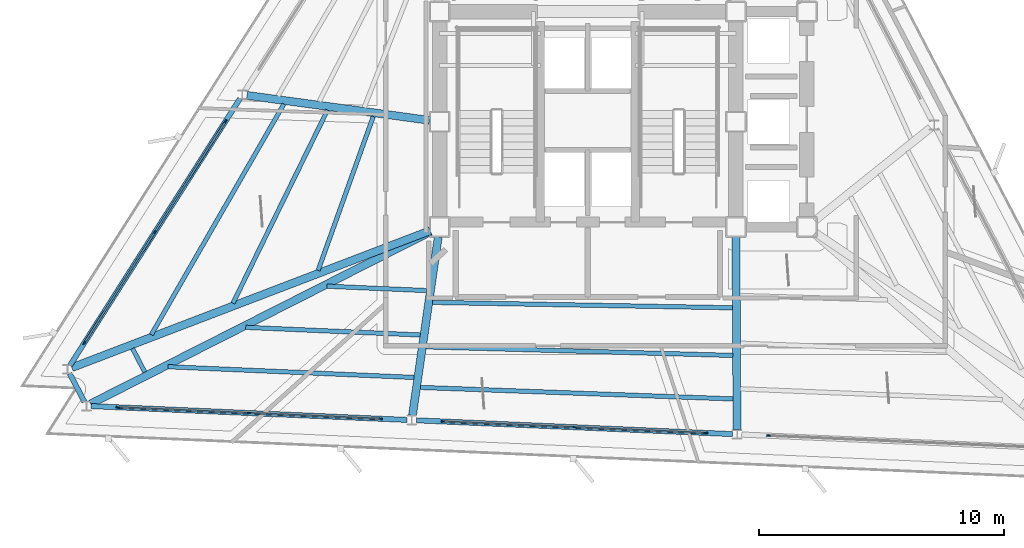
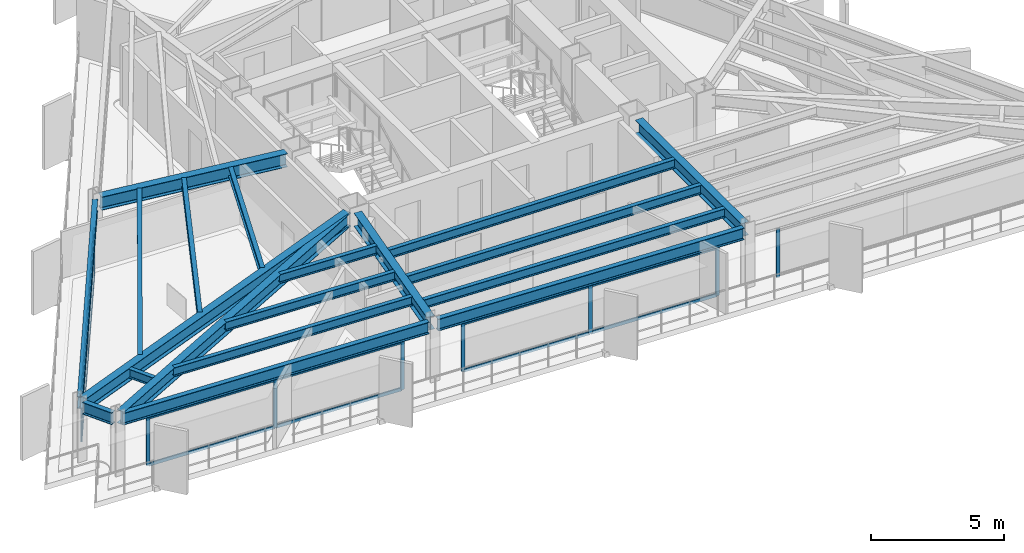
# One storey, part 2 of 12: 22 members, 19 beams, 4 elements without a shape of their own.
"""IFC4 building model written with IfcOpenShell, lengths in metres."""

from ifc_helpers import new_model, si_unit, direction, frame, origin, origin_2d, place, context, subcontext, project, spatial, rectangle, i_section, extrude, material, layer, layer_set, material_profile, profile_set, type_object, element, aggregate, save


model = new_model("IFC4")

# Units and contexts
model_context = context("Model", 3, precision=1e-05, world=origin(), true_north=direction((0.0, 1.0)))
body_context = subcontext(model_context, "Body", "Model", "MODEL_VIEW")
ifc_project = project(units=[si_unit("LENGTHUNIT", "METRE"), si_unit("AREAUNIT", "SQUARE_METRE"), si_unit("VOLUMEUNIT", "CUBIC_METRE"), si_unit("PLANEANGLEUNIT", "RADIAN"), si_unit("MASSUNIT", "GRAM", prefix="KILO")], contexts=[model_context])

# Site, building, storey
site_placement = place(None, origin())
site = spatial("IfcSite", under=ifc_project, at=site_placement, CompositionType="ELEMENT")
building_placement = place(site_placement, origin())
building = spatial("IfcBuilding", under=site, at=building_placement, Name="Rocaltana Carrier Exchange", CompositionType="ELEMENT")
storey_placement = place(building_placement, frame((0.0, 0.0, 138.080078125)))
storey = spatial("IfcBuildingStorey", under=building, at=storey_placement, Name="L43", CompositionType="ELEMENT", Elevation=138.080078125)

# Curtain wall, members
ifc_material_1 = material(Name="Aluminium 6063-T6", Category="aluminium")
ifc_layer = layer(ifc_material_1, 0.14990234375)
ifc_layer_set = layer_set([ifc_layer], Name="Aluminium 6063-T6")
curtain_wall_type = type_object("IfcCurtainWallType", Name="Mid-Tower Unitised Curtain Wall CW-03", PredefinedType="NOTDEFINED", material=ifc_layer_set)
curtain_wall_1_placement = place(storey_placement, origin())
curtain_wall_1 = element("IfcCurtainWall", 1, at=curtain_wall_1_placement, inside=storey, type_object=curtain_wall_type, Name="L43 CW-03 Run CW-L43-F2S3", PredefinedType="NOTDEFINED")
ifc_material_2 = material(Name="Aluminium 6063-T6", Category="aluminium")
ifc_material_profile_1 = material_profile(ifc_material_2, rectangle(XDim=0.06005859375, YDim=0.14990234375, at=origin_2d()), Name="AL-60X150")
ifc_profile_set_1 = profile_set([ifc_material_profile_1], Name="Aluminium 6063-T6")
member_type_1 = type_object("IfcMemberType", Name="CW-03 Mullion AL-60X150", PredefinedType="MULLION", material=ifc_profile_set_1)
member_1_placement = place(storey_placement, frame((-14.79541015625, 0.023193359375, 0.0), z_axis=(0.0, 0.0, 1.0), x_axis=(0.843390685726, -0.537300801443, 0.0)))
member_1 = element("IfcMember", 2, at=member_1_placement, type_object=member_type_1, Name="CW-03 mullion 1", PredefinedType="MULLION", context=body_context, shape_type="SweptSolid", body=[
    extrude(rectangle(XDim=0.06005859375, YDim=0.14990234375, at=origin_2d()), origin(), (0.0, 0.0, 1.0), 2.218017578125),
])
member_2_placement = place(storey_placement, frame((-17.680908203125, -4.505859375, 0.0), z_axis=(0.0, 0.0, 1.0), x_axis=(0.843390685726, -0.537300801443, 0.0)))
member_2 = element("IfcMember", 3, at=member_2_placement, type_object=member_type_1, Name="CW-03 mullion 2", PredefinedType="MULLION", context=body_context, shape_type="SweptSolid", body=[
    extrude(rectangle(XDim=0.06005859375, YDim=0.14990234375, at=origin_2d()), origin(), (0.0, 0.0, 1.0), 2.218017578125),
])
member_3_placement = place(storey_placement, frame((-20.566162109375, -9.034912109375, 0.0), z_axis=(0.0, 0.0, 1.0), x_axis=(0.843390685726, -0.537300801443, 0.0)))
member_3 = element("IfcMember", 4, at=member_3_placement, type_object=member_type_1, Name="CW-03 mullion 3", PredefinedType="MULLION", context=body_context, shape_type="SweptSolid", body=[
    extrude(rectangle(XDim=0.06005859375, YDim=0.14990234375, at=origin_2d()), origin(), (0.0, 0.0, 1.0), 2.218017578125),
])

curtain_wall_2_placement = place(storey_placement, origin())
curtain_wall_2 = element("IfcCurtainWall", 5, at=curtain_wall_2_placement, inside=storey, type_object=curtain_wall_type, Name="L43 CW-03 Run CW-L43-F3S1", PredefinedType="NOTDEFINED")
member_4_placement = place(storey_placement, frame((-19.197021484375, -11.66455078125, 0.0), z_axis=(0.0, 0.0, 1.0), x_axis=(0.043629290456, 0.999047789154, 0.0)))
member_4 = element("IfcMember", 6, at=member_4_placement, type_object=member_type_1, Name="CW-03 mullion 1", PredefinedType="MULLION", context=body_context, shape_type="SweptSolid", body=[
    extrude(rectangle(XDim=0.06005859375, YDim=0.14990234375, at=origin_2d()), origin(), (0.0, 0.0, 1.0), 2.218017578125),
])
member_5_placement = place(storey_placement, frame((-13.832275390625, -11.89892578125, 0.0), z_axis=(0.0, 0.0, 1.0), x_axis=(0.043629290456, 0.999047789154, 0.0)))
member_5 = element("IfcMember", 7, at=member_5_placement, type_object=member_type_1, Name="CW-03 mullion 2", PredefinedType="MULLION", context=body_context, shape_type="SweptSolid", body=[
    extrude(rectangle(XDim=0.06005859375, YDim=0.14990234375, at=origin_2d()), origin(), (0.0, 0.0, 1.0), 2.218017578125),
])
member_6_placement = place(storey_placement, frame((-8.46728515625, -12.13330078125, 0.0), z_axis=(0.0, 0.0, 1.0), x_axis=(0.043629290456, 0.999047789154, 0.0)))
member_6 = element("IfcMember", 8, at=member_6_placement, type_object=member_type_1, Name="CW-03 mullion 3", PredefinedType="MULLION", context=body_context, shape_type="SweptSolid", body=[
    extrude(rectangle(XDim=0.06005859375, YDim=0.14990234375, at=origin_2d()), origin(), (0.0, 0.0, 1.0), 2.218017578125),
])

curtain_wall_3_placement = place(storey_placement, origin())
curtain_wall_3 = element("IfcCurtainWall", 9, at=curtain_wall_3_placement, inside=storey, type_object=curtain_wall_type, Name="L43 CW-03 Run CW-L43-F3S2", PredefinedType="NOTDEFINED")
member_7_placement = place(storey_placement, frame((-5.90966796875, -12.244873046875, 0.0), z_axis=(0.0, 0.0, 1.0), x_axis=(0.043620452398, 0.999048175081, 0.0)))
member_7 = element("IfcMember", 10, at=member_7_placement, type_object=member_type_1, Name="CW-03 mullion 1", PredefinedType="MULLION", context=body_context, shape_type="SweptSolid", body=[
    extrude(rectangle(XDim=0.06005859375, YDim=0.14990234375, at=origin_2d()), origin(), (0.0, 0.0, 1.0), 2.218017578125),
])
member_8_placement = place(storey_placement, frame((-0.544921875, -12.47900390625, 0.0), z_axis=(0.0, 0.0, 1.0), x_axis=(0.043620452398, 0.999048175081, 0.0)))
member_8 = element("IfcMember", 11, at=member_8_placement, type_object=member_type_1, Name="CW-03 mullion 2", PredefinedType="MULLION", context=body_context, shape_type="SweptSolid", body=[
    extrude(rectangle(XDim=0.06005859375, YDim=0.14990234375, at=origin_2d()), origin(), (0.0, 0.0, 1.0), 2.218017578125),
])
member_9_placement = place(storey_placement, frame((4.820068359375, -12.71337890625, 0.0), z_axis=(0.0, 0.0, 1.0), x_axis=(0.043620452398, 0.999048175081, 0.0)))
member_9 = element("IfcMember", 12, at=member_9_placement, type_object=member_type_1, Name="CW-03 mullion 3", PredefinedType="MULLION", context=body_context, shape_type="SweptSolid", body=[
    extrude(rectangle(XDim=0.06005859375, YDim=0.14990234375, at=origin_2d()), origin(), (0.0, 0.0, 1.0), 2.218017578125),
])

# Curtain wall, member
curtain_wall_4_placement = place(storey_placement, origin())
curtain_wall_4 = element("IfcCurtainWall", 13, at=curtain_wall_4_placement, inside=storey, type_object=curtain_wall_type, Name="L43 CW-03 Run CW-L43-F3S3", PredefinedType="NOTDEFINED")
member_10_placement = place(storey_placement, frame((7.377685546875, -12.824951171875, 0.0), z_axis=(0.0, 0.0, 1.0), x_axis=(0.043629290456, 0.999047789154, 0.0)))
member_10 = element("IfcMember", 14, at=member_10_placement, type_object=member_type_1, Name="CW-03 mullion 1", PredefinedType="MULLION", context=body_context, shape_type="SweptSolid", body=[
    extrude(rectangle(XDim=0.06005859375, YDim=0.14990234375, at=origin_2d()), origin(), (0.0, 0.0, 1.0), 2.218017578125),
])
aggregate(curtain_wall_4, [member_10])

# Member
ifc_material_3 = material(Name="Aluminium 6063-T6", Category="aluminium")
ifc_material_profile_2 = material_profile(ifc_material_3, rectangle(XDim=0.06005859375, YDim=0.14990234375, at=origin_2d()), Name="AL-60X150")
ifc_profile_set_2 = profile_set([ifc_material_profile_2], Name="Aluminium 6063-T6")
member_type_2 = type_object("IfcMemberType", Name="CW-03 Transom AL-60X150", PredefinedType="USERDEFINED", material=ifc_profile_set_2)
member_11_placement = place(storey_placement, frame((-14.8115234375, -0.001953125, 0.030029296875), z_axis=(-0.537318678484, -0.843379296493, 0.0), x_axis=(0.843379296493, -0.537318678484, 0.0)))
member_11 = element("IfcMember", 15, at=member_11_placement, type_object=member_type_2, Name="CW-03 transom 1.1", ObjectType="TRANSOM", PredefinedType="USERDEFINED", context=body_context, shape_type="SweptSolid", body=[
    extrude(rectangle(XDim=0.06005859375, YDim=0.14990234375, at=origin_2d()), origin(), (0.0, 0.0, 1.0), 5.310302734375),
])

member_12_placement = place(storey_placement, frame((-14.8115234375, -0.001953125, 2.18798828125), z_axis=(-0.537318678484, -0.843379296493, 0.0), x_axis=(0.843379296493, -0.537318678484, 0.0)))
member_12 = element("IfcMember", 16, at=member_12_placement, type_object=member_type_2, Name="CW-03 transom 1.2", ObjectType="TRANSOM", PredefinedType="USERDEFINED", context=body_context, shape_type="SweptSolid", body=[
    extrude(rectangle(XDim=0.06005859375, YDim=0.14990234375, at=origin_2d()), origin(), (0.0, 0.0, 1.0), 5.310302734375),
])

member_13_placement = place(storey_placement, frame((-17.697021484375, -4.531005859375, 0.030029296875), z_axis=(-0.537285975238, -0.843400130906, 0.0), x_axis=(0.843400130906, -0.537285975238, 0.0)))
member_13 = element("IfcMember", 17, at=member_13_placement, type_object=member_type_2, Name="CW-03 transom 2.1", ObjectType="TRANSOM", PredefinedType="USERDEFINED", context=body_context, shape_type="SweptSolid", body=[
    extrude(rectangle(XDim=0.06005859375, YDim=0.14990234375, at=origin_2d()), origin(), (0.0, 0.0, 1.0), 5.31005859375),
])

member_14_placement = place(storey_placement, frame((-17.697021484375, -4.531005859375, 2.18798828125), z_axis=(-0.537285975238, -0.843400130906, 0.0), x_axis=(0.843400130906, -0.537285975238, 0.0)))
member_14 = element("IfcMember", 18, at=member_14_placement, type_object=member_type_2, Name="CW-03 transom 2.2", ObjectType="TRANSOM", PredefinedType="USERDEFINED", context=body_context, shape_type="SweptSolid", body=[
    extrude(rectangle(XDim=0.06005859375, YDim=0.14990234375, at=origin_2d()), origin(), (0.0, 0.0, 1.0), 5.31005859375),
])

aggregate(curtain_wall_1, [member_1, member_2, member_3, member_11, member_12, member_13, member_14])

member_15_placement = place(storey_placement, frame((-19.167236328125, -11.666015625, 0.030029296875), z_axis=(0.999047725225, -0.043630754314, 0.0), x_axis=(0.043630754314, 0.999047725225, 0.0)))
member_15 = element("IfcMember", 19, at=member_15_placement, type_object=member_type_2, Name="CW-03 transom 1.1", ObjectType="TRANSOM", PredefinedType="USERDEFINED", context=body_context, shape_type="SweptSolid", body=[
    extrude(rectangle(XDim=0.06005859375, YDim=0.14990234375, at=origin_2d()), origin(), (0.0, 0.0, 1.0), 5.310302734375),
])

member_16_placement = place(storey_placement, frame((-19.167236328125, -11.666015625, 2.18798828125), z_axis=(0.999047725225, -0.043630754314, 0.0), x_axis=(0.043630754314, 0.999047725225, 0.0)))
member_16 = element("IfcMember", 20, at=member_16_placement, type_object=member_type_2, Name="CW-03 transom 1.2", ObjectType="TRANSOM", PredefinedType="USERDEFINED", context=body_context, shape_type="SweptSolid", body=[
    extrude(rectangle(XDim=0.06005859375, YDim=0.14990234375, at=origin_2d()), origin(), (0.0, 0.0, 1.0), 5.310302734375),
])

member_17_placement = place(storey_placement, frame((-13.80224609375, -11.900146484375, 0.030029296875), z_axis=(0.999047637698, -0.043632758442, 0.0), x_axis=(0.043632758442, 0.999047637698, 0.0)))
member_17 = element("IfcMember", 21, at=member_17_placement, type_object=member_type_2, Name="CW-03 transom 2.1", ObjectType="TRANSOM", PredefinedType="USERDEFINED", context=body_context, shape_type="SweptSolid", body=[
    extrude(rectangle(XDim=0.06005859375, YDim=0.14990234375, at=origin_2d()), origin(), (0.0, 0.0, 1.0), 5.31005859375),
])

member_18_placement = place(storey_placement, frame((-13.80224609375, -11.900146484375, 2.18798828125), z_axis=(0.999047637698, -0.043632758442, 0.0), x_axis=(0.043632758442, 0.999047637698, 0.0)))
member_18 = element("IfcMember", 22, at=member_18_placement, type_object=member_type_2, Name="CW-03 transom 2.2", ObjectType="TRANSOM", PredefinedType="USERDEFINED", context=body_context, shape_type="SweptSolid", body=[
    extrude(rectangle(XDim=0.06005859375, YDim=0.14990234375, at=origin_2d()), origin(), (0.0, 0.0, 1.0), 5.31005859375),
])

aggregate(curtain_wall_2, [member_4, member_5, member_6, member_15, member_16, member_17, member_18])

member_19_placement = place(storey_placement, frame((-5.879638671875, -12.24609375, 0.030029296875), z_axis=(0.999047637698, -0.043632758442, 0.0), x_axis=(0.043632758442, 0.999047637698, 0.0)))
member_19 = element("IfcMember", 23, at=member_19_placement, type_object=member_type_2, Name="CW-03 transom 1.1", ObjectType="TRANSOM", PredefinedType="USERDEFINED", context=body_context, shape_type="SweptSolid", body=[
    extrude(rectangle(XDim=0.06005859375, YDim=0.14990234375, at=origin_2d()), origin(), (0.0, 0.0, 1.0), 5.31005859375),
])

member_20_placement = place(storey_placement, frame((-5.879638671875, -12.24609375, 2.18798828125), z_axis=(0.999047637698, -0.043632758442, 0.0), x_axis=(0.043632758442, 0.999047637698, 0.0)))
member_20 = element("IfcMember", 24, at=member_20_placement, type_object=member_type_2, Name="CW-03 transom 1.2", ObjectType="TRANSOM", PredefinedType="USERDEFINED", context=body_context, shape_type="SweptSolid", body=[
    extrude(rectangle(XDim=0.06005859375, YDim=0.14990234375, at=origin_2d()), origin(), (0.0, 0.0, 1.0), 5.31005859375),
])

member_21_placement = place(storey_placement, frame((-0.514892578125, -12.48046875, 0.030029296875), z_axis=(0.999049640868, -0.04358686822, 0.0), x_axis=(0.04358686822, 0.999049640868, 0.0)))
member_21 = element("IfcMember", 25, at=member_21_placement, type_object=member_type_2, Name="CW-03 transom 2.1", ObjectType="TRANSOM", PredefinedType="USERDEFINED", context=body_context, shape_type="SweptSolid", body=[
    extrude(rectangle(XDim=0.06005859375, YDim=0.14990234375, at=origin_2d()), origin(), (0.0, 0.0, 1.0), 5.31005859375),
])

member_22_placement = place(storey_placement, frame((-0.514892578125, -12.48046875, 2.18798828125), z_axis=(0.999049640868, -0.04358686822, 0.0), x_axis=(0.04358686822, 0.999049640868, 0.0)))
member_22 = element("IfcMember", 26, at=member_22_placement, type_object=member_type_2, Name="CW-03 transom 2.2", ObjectType="TRANSOM", PredefinedType="USERDEFINED", context=body_context, shape_type="SweptSolid", body=[
    extrude(rectangle(XDim=0.06005859375, YDim=0.14990234375, at=origin_2d()), origin(), (0.0, 0.0, 1.0), 5.31005859375),
])

aggregate(curtain_wall_3, [member_7, member_8, member_9, member_19, member_20, member_21, member_22])

# Beams
ifc_material_4 = material(Name="Steel S355", Category="steel")
ifc_material_profile_3 = material_profile(ifc_material_4, i_section(OverallWidth=0.179931640625, OverallDepth=0.4130859375, WebThickness=0.009765625, FlangeThickness=0.01611328125, FilletRadius=0.012939453125, at=origin_2d()), Name="W16X50")
ifc_profile_set_3 = profile_set([ifc_material_profile_3], Name="Steel S355")
beam_type_1 = type_object("IfcBeamType", Name="Floor Joist W16X50", PredefinedType="JOIST", material=ifc_profile_set_3)
beam_1_placement = place(storey_placement, frame((-8.76171875, 0.217041015625, 2.58154296875), z_axis=(-0.33724376494, -0.941417358566, 0.0), x_axis=(0.941417358566, -0.33724376494, 0.0)))
element("IfcBeam", 27, at=beam_1_placement, inside=storey, type_object=beam_type_1, Name="FJ-L43-07-1", PredefinedType="JOIST", context=body_context, shape_type="SweptSolid", body=[
    extrude(i_section(OverallWidth=0.179931640625, OverallDepth=0.4130859375, WebThickness=0.009765625, FlangeThickness=0.01611328125, FilletRadius=0.012939453125, at=origin_2d()), origin(), (0.0, 0.0, 1.0), 6.680419921875),
])
beam_2_placement = place(storey_placement, frame((-10.631103515625, 0.4775390625, 2.58154296875), z_axis=(-0.439708785258, -0.898140403371, 0.0), x_axis=(0.898140403371, -0.439708785258, 0.0)))
element("IfcBeam", 28, at=beam_2_placement, inside=storey, type_object=beam_type_1, Name="FJ-L43-07-2", PredefinedType="JOIST", context=body_context, shape_type="SweptSolid", body=[
    extrude(i_section(OverallWidth=0.179931640625, OverallDepth=0.4130859375, WebThickness=0.009765625, FlangeThickness=0.01611328125, FilletRadius=0.012939453125, at=origin_2d()), origin(), (0.0, 0.0, 1.0), 8.788818359375),
])
beam_3_placement = place(storey_placement, frame((-12.412841796875, 0.724853515625, 2.58154296875), z_axis=(-0.498415428492, -0.866938325742, 0.0), x_axis=(0.866938325742, -0.498415428492, 0.0)))
element("IfcBeam", 29, at=beam_3_placement, inside=storey, type_object=beam_type_1, Name="FJ-L43-07-3", PredefinedType="JOIST", context=body_context, shape_type="SweptSolid", body=[
    extrude(i_section(OverallWidth=0.179931640625, OverallDepth=0.4130859375, WebThickness=0.009765625, FlangeThickness=0.01611328125, FilletRadius=0.012939453125, at=origin_2d()), origin(), (0.0, 0.0, 1.0), 10.871337890625),
])
beam_4_placement = place(storey_placement, frame((-18.59716796875, -9.26416015625, 2.58154296875), z_axis=(0.461805518623, -0.886981207788, 0.0), x_axis=(0.886981207788, 0.461805518623, 0.0)))
element("IfcBeam", 30, at=beam_4_placement, inside=storey, type_object=beam_type_1, Name="FJ-L43-08-3", PredefinedType="JOIST", context=body_context, shape_type="SweptSolid", body=[
    extrude(i_section(OverallWidth=0.179931640625, OverallDepth=0.4130859375, WebThickness=0.009765625, FlangeThickness=0.01611328125, FilletRadius=0.012939453125, at=origin_2d()), origin(), (0.0, 0.0, 1.0), 1.08642578125),
])
beam_5_placement = place(storey_placement, frame((-10.65478515625, -6.71875, 2.58154296875), z_axis=(0.999049367243, -0.043593139496, 0.0), x_axis=(0.043593139496, 0.999049367243, 0.0)))
element("IfcBeam", 31, at=beam_5_placement, inside=storey, type_object=beam_type_1, Name="FJ-L43-09-1", PredefinedType="JOIST", context=body_context, shape_type="SweptSolid", body=[
    extrude(i_section(OverallWidth=0.179931640625, OverallDepth=0.4130859375, WebThickness=0.009765625, FlangeThickness=0.01611328125, FilletRadius=0.012939453125, at=origin_2d()), origin(), (0.0, 0.0, 1.0), 4.0771484375),
])
beam_6_placement = place(storey_placement, frame((-13.97265625, -8.399658203125, 2.58154296875), z_axis=(0.999048136887, -0.043621327164, 0.0), x_axis=(0.043621327164, 0.999048136887, 0.0)))
element("IfcBeam", 32, at=beam_6_placement, inside=storey, type_object=beam_type_1, Name="FJ-L43-09-2", PredefinedType="JOIST", context=body_context, shape_type="SweptSolid", body=[
    extrude(i_section(OverallWidth=0.179931640625, OverallDepth=0.4130859375, WebThickness=0.009765625, FlangeThickness=0.01611328125, FilletRadius=0.012939453125, at=origin_2d()), origin(), (0.0, 0.0, 1.0), 7.135986328125),
])
beam_7_placement = place(storey_placement, frame((-17.146484375, -10.0078125, 2.58154296875), z_axis=(0.999049003147, -0.043601482906, 0.0), x_axis=(0.043601482906, 0.999049003147, 0.0)))
element("IfcBeam", 33, at=beam_7_placement, inside=storey, type_object=beam_type_1, Name="FJ-L43-09-3", PredefinedType="JOIST", context=body_context, shape_type="SweptSolid", body=[
    extrude(i_section(OverallWidth=0.179931640625, OverallDepth=0.4130859375, WebThickness=0.009765625, FlangeThickness=0.01611328125, FilletRadius=0.012939453125, at=origin_2d()), origin(), (0.0, 0.0, 1.0), 10.06201171875),
])
beam_8_placement = place(storey_placement, frame((-6.337890625, -7.37939453125, 2.58154296875), z_axis=(0.999837766755, -0.018012222821, 0.0), x_axis=(0.018012222821, 0.999837766755, 0.0)))
element("IfcBeam", 34, at=beam_8_placement, inside=storey, type_object=beam_type_1, Name="FJ-L43-10-1", PredefinedType="JOIST", context=body_context, shape_type="SweptSolid", body=[
    extrude(i_section(OverallWidth=0.179931640625, OverallDepth=0.4130859375, WebThickness=0.009765625, FlangeThickness=0.01611328125, FilletRadius=0.012939453125, at=origin_2d()), origin(), (0.0, 0.0, 1.0), 12.2529296875),
])
beam_9_placement = place(storey_placement, frame((-6.599853515625, -9.195556640625, 2.58154296875), z_axis=(0.999607887899, -0.028001258015, 0.0), x_axis=(0.028001258015, 0.999607887899, 0.0)))
element("IfcBeam", 35, at=beam_9_placement, inside=storey, type_object=beam_type_1, Name="FJ-L43-10-2", PredefinedType="JOIST", context=body_context, shape_type="SweptSolid", body=[
    extrude(i_section(OverallWidth=0.179931640625, OverallDepth=0.4130859375, WebThickness=0.009765625, FlangeThickness=0.01611328125, FilletRadius=0.012939453125, at=origin_2d()), origin(), (0.0, 0.0, 1.0), 12.529052734375),
])
beam_10_placement = place(storey_placement, frame((-6.839111328125, -10.853515625, 2.58154296875), z_axis=(0.999323856685, -0.036767233503, 0.0), x_axis=(0.036767233503, 0.999323856685, 0.0)))
element("IfcBeam", 36, at=beam_10_placement, inside=storey, type_object=beam_type_1, Name="FJ-L43-10-3", PredefinedType="JOIST", context=body_context, shape_type="SweptSolid", body=[
    extrude(i_section(OverallWidth=0.179931640625, OverallDepth=0.4130859375, WebThickness=0.009765625, FlangeThickness=0.01611328125, FilletRadius=0.012939453125, at=origin_2d()), origin(), (0.0, 0.0, 1.0), 12.7822265625),
])
ifc_material_5 = material(Name="Steel S355", Category="steel")
ifc_material_profile_4 = material_profile(ifc_material_5, i_section(OverallWidth=0.323974609375, OverallDepth=0.611083984375, WebThickness=0.0126953125, FlangeThickness=0.01904296875, FilletRadius=0.01611328125, at=origin_2d()), Name="W24X104")
ifc_profile_set_4 = profile_set([ifc_material_profile_4], Name="Steel S355")
beam_type_2 = type_object("IfcBeamType", Name="Radial Girder W24X104", PredefinedType="BEAM", material=ifc_profile_set_4)
beam_11_placement = place(storey_placement, frame((-6.463134765625, 0.056396484375, 2.482421875), z_axis=(-0.99076053877, 0.135622840321, 0.0), x_axis=(-0.135622840321, -0.99076053877, 0.0)))
element("IfcBeam", 37, at=beam_11_placement, inside=storey, type_object=beam_type_2, Name="RG-L43-07", PredefinedType="BEAM", context=body_context, shape_type="SweptSolid", body=[
    extrude(i_section(OverallWidth=0.323974609375, OverallDepth=0.611083984375, WebThickness=0.0126953125, FlangeThickness=0.01904296875, FilletRadius=0.01611328125, at=origin_2d()), origin(), (0.0, 0.0, 1.0), 7.524658203125),
])
beam_12_placement = place(storey_placement, frame((-6.439453125, -4.448974609375, 2.482421875), z_axis=(-0.934030584324, -0.357193039612, 0.0), x_axis=(0.357193039612, -0.934030584324, 0.0)))
element("IfcBeam", 38, at=beam_12_placement, inside=storey, type_object=beam_type_2, Name="RG-L43-08", PredefinedType="BEAM", context=body_context, shape_type="SweptSolid", body=[
    extrude(i_section(OverallWidth=0.323974609375, OverallDepth=0.611083984375, WebThickness=0.0126953125, FlangeThickness=0.01904296875, FilletRadius=0.01611328125, at=origin_2d()), origin(), (0.0, 0.0, 1.0), 15.669189453125),
])
beam_13_placement = place(storey_placement, frame((-6.422119140625, -4.488525390625, 2.482421875), z_axis=(-0.892045895073, -0.45194482084, 0.0), x_axis=(0.45194482084, -0.892045895073, 0.0)))
element("IfcBeam", 39, at=beam_13_placement, inside=storey, type_object=beam_type_2, Name="RG-L43-09", PredefinedType="BEAM", context=body_context, shape_type="SweptSolid", body=[
    extrude(i_section(OverallWidth=0.323974609375, OverallDepth=0.611083984375, WebThickness=0.0126953125, FlangeThickness=0.01904296875, FilletRadius=0.01611328125, at=origin_2d()), origin(), (0.0, 0.0, 1.0), 15.563232421875),
])
beam_14_placement = place(storey_placement, frame((-6.109619140625, -4.712646484375, 2.482421875), z_axis=(-0.14282324993, -0.989748210041, 0.0), x_axis=(0.989748210041, -0.14282324993, 0.0)))
element("IfcBeam", 40, at=beam_14_placement, inside=storey, type_object=beam_type_2, Name="RG-L43-10", PredefinedType="BEAM", context=body_context, shape_type="SweptSolid", body=[
    extrude(i_section(OverallWidth=0.323974609375, OverallDepth=0.611083984375, WebThickness=0.0126953125, FlangeThickness=0.01904296875, FilletRadius=0.01611328125, at=origin_2d()), origin(), (0.0, 0.0, 1.0), 7.3623046875),
])
beam_15_placement = place(storey_placement, frame((6.052490234375, -4.717041015625, 2.482421875), z_axis=(0.005745782097, -0.999983492858, 0.0), x_axis=(0.999983492858, 0.005745782097, 0.0)))
element("IfcBeam", 41, at=beam_15_placement, inside=storey, type_object=beam_type_2, Name="RG-L43-11", PredefinedType="BEAM", context=body_context, shape_type="SweptSolid", body=[
    extrude(i_section(OverallWidth=0.323974609375, OverallDepth=0.611083984375, WebThickness=0.0126953125, FlangeThickness=0.01904296875, FilletRadius=0.01611328125, at=origin_2d()), origin(), (0.0, 0.0, 1.0), 7.86083984375),
])
ifc_material_6 = material(Name="Steel S355", Category="steel")
ifc_material_profile_5 = material_profile(ifc_material_6, i_section(OverallWidth=0.2119140625, OverallDepth=0.5439453125, WebThickness=0.01318359375, FlangeThickness=0.021240234375, FilletRadius=0.014892578125, at=origin_2d()), Name="W21X83")
ifc_profile_set_5 = profile_set([ifc_material_profile_5], Name="Steel S355")
beam_type_3 = type_object("IfcBeamType", Name="Spandrel Edge Beam W21X83", PredefinedType="SPANDREL", material=ifc_profile_set_5)
beam_16_placement = place(storey_placement, frame((-14.210693359375, 0.94140625, 2.515869140625), z_axis=(-0.53728634902, -0.843399892789, 0.0), x_axis=(0.843399892789, -0.53728634902, 0.0)))
element("IfcBeam", 42, at=beam_16_placement, inside=storey, type_object=beam_type_3, Name="SP-L43-07", PredefinedType="SPANDREL", context=body_context, shape_type="SweptSolid", body=[
    extrude(i_section(OverallWidth=0.2119140625, OverallDepth=0.5439453125, WebThickness=0.01318359375, FlangeThickness=0.021240234375, FilletRadius=0.014892578125, at=origin_2d()), origin(), (0.0, 0.0, 1.0), 12.9169921875),
])
beam_17_placement = place(storey_placement, frame((-21.16552734375, -10.2841796875, 2.515869140625), z_axis=(0.461854518946, -0.886955694119, 0.0), x_axis=(0.886955694119, 0.461854518946, 0.0)))
element("IfcBeam", 43, at=beam_17_placement, inside=storey, type_object=beam_type_3, Name="SP-L43-08", PredefinedType="SPANDREL", context=body_context, shape_type="SweptSolid", body=[
    extrude(i_section(OverallWidth=0.2119140625, OverallDepth=0.5439453125, WebThickness=0.01318359375, FlangeThickness=0.021240234375, FilletRadius=0.014892578125, at=origin_2d()), origin(), (0.0, 0.0, 1.0), 1.302001953125),
])
for number, where, z_axis, x_axis, name in (
    (44, (-20.28466796875, -11.6171875, 2.515869140625), (0.999048081656, -0.043622592086, 0.0), (0.043622592086, 0.999048081656, 0.0), "SP-L43-09"),
    (45, (-6.997314453125, -12.197509765625, 2.515869140625), (0.999048905187, -0.043603727426, 0.0), (0.043603727426, 0.999048905187, 0.0), "SP-L43-10"),
):
    element("IfcBeam", number, at=place(storey_placement, frame(where, z_axis=z_axis, x_axis=x_axis)), inside=storey, type_object=beam_type_3, Name=name, PredefinedType="SPANDREL", context=body_context, shape_type="SweptSolid", body=[
        extrude(i_section(OverallWidth=0.2119140625, OverallDepth=0.5439453125, WebThickness=0.01318359375, FlangeThickness=0.021240234375, FilletRadius=0.014892578125, at=origin_2d()), origin(), (0.0, 0.0, 1.0), 12.9169921875),
    ])

save(model, "model.ifc")
